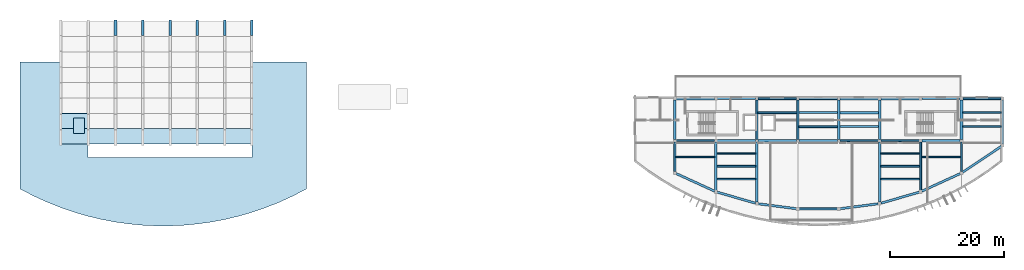
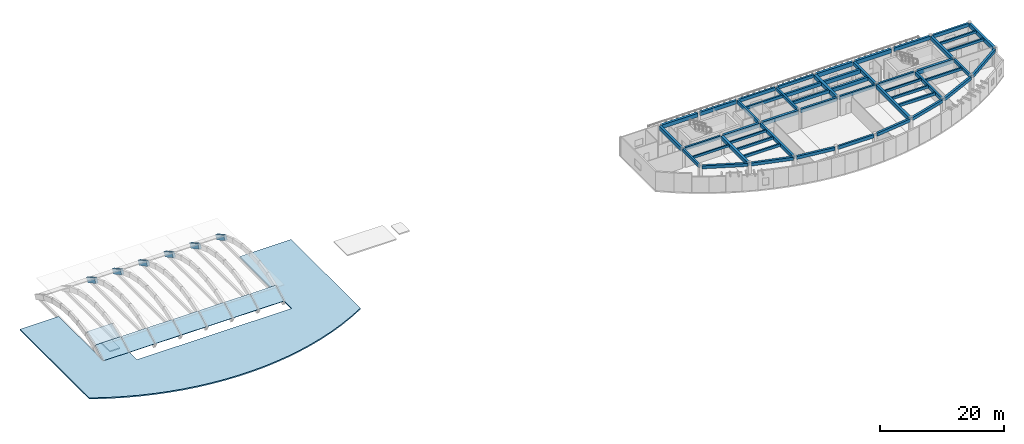
# One storey, part 2 of 11: 57 beams, 10 slabs.
"""IFC4 building model written with IfcOpenShell, lengths in metres."""

import ifcopenshell
import ifcopenshell.guid

model = None  # the IFC model being written
_history = None  # IfcOwnerHistory: only IFC2X3 demands one
_inside = {}  # id of a spatial element -> (the spatial element, [elements in it])
_under = {}  # id of a project, library or spatial element -> (it, [spatial elements below it])
_declared = {}  # id of a project -> (the project, [libraries it declares])
_typed = {}  # id of a type object -> (the type object, [elements of that type])
_made_of = {}  # id of a material, layer set ... -> (it, [elements and type objects made of it])


def new_model(schema):
    """Start an empty IFC model of exactly this schema.

    Asked for "IFC4X3", IfcOpenShell would pick the latest addendum, in which some entities
    have other attributes; the version numbers below select the first issue.
    IFC2X3 requires an IfcOwnerHistory on every rooted entity: one is made here for all.
    """
    global model, _history
    if schema == "IFC4X3":
        model = ifcopenshell.file(schema_version=(4, 3, 0, 0))
    else:
        model = ifcopenshell.file(schema=schema)
    _inside.clear()
    _under.clear()
    _declared.clear()
    _typed.clear()
    _made_of.clear()
    _history = None
    if model.schema == "IFC2X3":
        org = make("IfcOrganization", Name="unknown")
        user = make(
            "IfcPersonAndOrganization",
            ThePerson=make("IfcPerson", FamilyName="unknown"),
            TheOrganization=org,
        )
        app = make(
            "IfcApplication",
            ApplicationDeveloper=org,
            Version="unknown",
            ApplicationFullName="unknown",
            ApplicationIdentifier="unknown",
        )
        _history = make(
            "IfcOwnerHistory",
            OwningUser=user,
            OwningApplication=app,
            ChangeAction="ADDED",
            CreationDate=0,
        )
    return model


def make(cls, **values):
    """One entity of the class cls with the attributes given. An attribute that is None is left unset."""
    return model.create_entity(
        cls, **{name: value for name, value in values.items() if value is not None}
    )


def rooted(cls, **values):
    """An entity with a GlobalId (a new one), such as an element, a storey or a relation."""
    return make(cls, GlobalId=ifcopenshell.guid.new(), OwnerHistory=_history, **values)


def si_unit(unit_type, name, prefix=None):
    """IfcSIUnit, for example si_unit("LENGTHUNIT", "METRE", prefix="MILLI")."""
    return make("IfcSIUnit", UnitType=unit_type, Prefix=prefix, Name=name)


def assignment(units):
    """IfcUnitAssignment: the units of a project."""
    return None if units is None else make("IfcUnitAssignment", Units=units)


def point(xyz):
    """IfcCartesianPoint."""
    return None if xyz is None else make("IfcCartesianPoint", Coordinates=xyz)


def direction(xyz):
    """IfcDirection."""
    return None if xyz is None else make("IfcDirection", DirectionRatios=xyz)


def frame(location, z_axis=None, x_axis=None):
    """IfcAxis2Placement3D, a coordinate frame: its origin and axes. An axis left out is left unset."""
    return make(
        "IfcAxis2Placement3D",
        Location=point(location),
        Axis=direction(z_axis),
        RefDirection=direction(x_axis),
    )


def frame_2d(location, x_axis=None):
    """IfcAxis2Placement2D, a coordinate frame in the plane: its origin and x axis."""
    return make(
        "IfcAxis2Placement2D", Location=point(location), RefDirection=direction(x_axis)
    )


def origin():
    """The frame at (0, 0, 0) with its axes left unset."""
    return frame((0.0, 0.0, 0.0))


def origin_2d():
    """The frame at (0, 0) in the plane with its x axis left unset."""
    return frame_2d((0.0, 0.0))


def place(relative_to, where):
    """IfcLocalPlacement: puts the frame where relative to a parent placement (None: the world)."""
    return make(
        "IfcLocalPlacement", PlacementRelTo=relative_to, RelativePlacement=where
    )


def context(
    kind, dimensions, precision=None, world=None, true_north=None, identifier=None
):
    """IfcGeometricRepresentationContext, for example the 3D "Model" context."""
    return make(
        "IfcGeometricRepresentationContext",
        ContextIdentifier=identifier,
        ContextType=kind,
        CoordinateSpaceDimension=dimensions,
        Precision=precision,
        WorldCoordinateSystem=world,
        TrueNorth=true_north,
    )


def subcontext(parent, identifier, kind, view, scale=None):
    """IfcGeometricRepresentationSubContext, for example "Body" below "Model"."""
    return make(
        "IfcGeometricRepresentationSubContext",
        ContextIdentifier=identifier,
        ContextType=kind,
        ParentContext=parent,
        TargetScale=scale,
        TargetView=view,
    )


def project(units=None, contexts=None):
    """IfcProject with its units and contexts."""
    return rooted(
        "IfcProject",
        Name="project",
        RepresentationContexts=contexts,
        UnitsInContext=assignment(units),
    )


def spatial(cls, under=None, at=None, **own):
    """A site, building, storey or space (cls), placed at a placement, below another one or the project."""
    s = rooted(cls, ObjectPlacement=at, **own)
    if under is not None:
        _under.setdefault(under.id(), (under, []))[1].append(s)
    return s


def polyline(points):
    """IfcPolyline through the points."""
    return make("IfcPolyline", Points=[point(p) for p in points])


def profile(cls, at=None, kind="AREA", **sizes):
    """A parametric profile (cls). Its sizes go by their IFC names, for example OverallWidth=200.0."""
    return make(cls, ProfileType=kind, Position=at, **sizes)


def rectangle(**sizes):
    """IfcRectangleProfileDef."""
    return profile("IfcRectangleProfileDef", **sizes)


def outline(outer, holes=None, kind="AREA"):
    """IfcArbitraryClosedProfileDef: a profile drawn as a closed curve; with holes, ...WithVoids."""
    if holes is None:
        return make("IfcArbitraryClosedProfileDef", ProfileType=kind, OuterCurve=outer)
    return make(
        "IfcArbitraryProfileDefWithVoids",
        ProfileType=kind,
        OuterCurve=outer,
        InnerCurves=holes,
    )


def extrude(swept, where, along, depth):
    """IfcExtrudedAreaSolid: the profile swept, set in the frame where, extruded along a direction by depth."""
    return make(
        "IfcExtrudedAreaSolid",
        SweptArea=swept,
        Position=where,
        ExtrudedDirection=direction(along),
        Depth=depth,
    )


def shape(context_of_items, identifier, shape_type, items):
    """IfcShapeRepresentation: the items that make up one representation, for example the "Body"."""
    return make(
        "IfcShapeRepresentation",
        ContextOfItems=context_of_items,
        RepresentationIdentifier=identifier,
        RepresentationType=shape_type,
        Items=items,
    )


def material(Name=None, Category=None):
    """IfcMaterial."""
    return make("IfcMaterial", Name=Name, Category=Category)


def layer(
    of_material, thickness, ventilated=None, Name=None, Category=None, Priority=None
):
    """IfcMaterialLayer: one layer of a wall or slab, of a material (None: an air gap)."""
    return make(
        "IfcMaterialLayer",
        Material=of_material,
        LayerThickness=thickness,
        IsVentilated=ventilated,
        Name=Name,
        Category=Category,
        Priority=Priority,
    )


def layer_set(layers, Name=None):
    """IfcMaterialLayerSet."""
    return make("IfcMaterialLayerSet", MaterialLayers=layers, LayerSetName=Name)


def material_profile(
    of_material, cross_section, Name=None, Category=None, Priority=None
):
    """IfcMaterialProfile: a cross section and its material."""
    return make(
        "IfcMaterialProfile",
        Name=Name,
        Material=of_material,
        Profile=cross_section,
        Priority=Priority,
        Category=Category,
    )


def profile_set(profiles, Name=None, composite=None):
    """IfcMaterialProfileSet."""
    return make(
        "IfcMaterialProfileSet",
        Name=Name,
        MaterialProfiles=profiles,
        CompositeProfile=composite,
    )


def made_of(thing, what):
    """Note that an element or type object is made of a material, layer set ...; save() writes the relation."""
    if what is not None:
        _made_of.setdefault(what.id(), (what, []))[1].append(thing)
    return thing


def type_object(cls, material=None, **own):
    """A type object (cls), such as IfcWallType, which elements share."""
    return made_of(rooted(cls, **own), material)


def element(
    cls,
    number,
    at=None,
    inside=None,
    cuts=None,
    type_object=None,
    material=None,
    context=None,
    identifier="Body",
    shape_type=None,
    held_by="IfcProductDefinitionShape",
    body=None,
    shapes=None,
    **own,
):
    """One element of the class cls, such as IfcWall. Its Tag is "e" and its number.

    at: its placement. inside: the storey or other place that contains it. cuts: it is an
    opening in that element (IfcRelVoidsElement). A single representation is given by context,
    identifier, shape_type and body (its items); several are given by shapes. held_by: the class
    of the entity that holds the representations. save() writes the other relations.
    """
    e = rooted(cls, Tag="e%d" % number, ObjectPlacement=at, **own)
    if body is not None:
        shapes = [shape(context, identifier, shape_type, body)]
    if shapes is not None:
        e.Representation = make(held_by, Representations=shapes)
    if inside is not None:
        _inside.setdefault(inside.id(), (inside, []))[1].append(e)
    if cuts is not None:
        rooted(
            "IfcRelVoidsElement", RelatingBuildingElement=cuts, RelatedOpeningElement=e
        )
    if type_object is not None:
        _typed.setdefault(type_object.id(), (type_object, []))[1].append(e)
    return made_of(e, material)


def aggregate(whole, parts):
    """IfcRelAggregates: a whole, such as a stair, and the parts it consists of."""
    return rooted("IfcRelAggregates", RelatingObject=whole, RelatedObjects=parts)


def save(model, path):
    """Write the relations noted so far, then the file.

    IfcRelAggregates (storeys below a building ...), IfcRelContainedInSpatialStructure (elements
    in a storey), IfcRelDefinesByType, IfcRelAssociatesMaterial and IfcRelDeclares: one each for
    every whole, place, type object, material and project.
    """
    for whole, parts in _under.values():
        aggregate(whole, parts)
    for where, things in _inside.values():
        rooted(
            "IfcRelContainedInSpatialStructure",
            RelatedElements=things,
            RelatingStructure=where,
        )
    for kind, things in _typed.values():
        rooted("IfcRelDefinesByType", RelatedObjects=things, RelatingType=kind)
    for what, things in _made_of.values():
        rooted("IfcRelAssociatesMaterial", RelatedObjects=things, RelatingMaterial=what)
    for by, libraries in _declared.values():
        rooted("IfcRelDeclares", RelatingContext=by, RelatedDefinitions=libraries)
    model.write(path)


model = new_model("IFC4")

# Units and contexts
model_context = context("Model", 3, precision=1e-05, world=origin(), true_north=direction((0.0, 1.0)))
body_context = subcontext(model_context, "Body", "Model", "MODEL_VIEW")
ifc_project = project(units=[si_unit("LENGTHUNIT", "METRE"), si_unit("AREAUNIT", "SQUARE_METRE"), si_unit("VOLUMEUNIT", "CUBIC_METRE"), si_unit("PLANEANGLEUNIT", "RADIAN"), si_unit("MASSUNIT", "GRAM", prefix="KILO")], contexts=[model_context])

# Site, building, storey
site_placement = place(None, origin())
site = spatial("IfcSite", under=ifc_project, at=site_placement, CompositionType="ELEMENT")
building_placement = place(site_placement, origin())
building = spatial("IfcBuilding", under=site, at=building_placement, Name="Brisavento Harbour Community Centre", CompositionType="ELEMENT")
storey_placement = place(building_placement, frame((0.0, 0.0, 16.800048828125)))
storey = spatial("IfcBuildingStorey", under=building, at=storey_placement, Name="L04", CompositionType="ELEMENT", Elevation=16.800048828125)

# Beams
ifc_material_1 = material(Name="Concrete C40/50", Category="concrete")
ifc_material_profile_1 = material_profile(ifc_material_1, rectangle(XDim=0.449951171875, YDim=0.949951171875, at=origin_2d()), Name="Concrete C40/50")
ifc_profile_set_1 = profile_set([ifc_material_profile_1], Name="Concrete C40/50")
beam_type_1 = type_object("IfcBeamType", Name="BM-ARCH-450x950", PredefinedType="USERDEFINED", material=ifc_profile_set_1)
for number, where, z_axis, x_axis, name in (
    (1, (16.800048828125, 33.300048828125, 0.99462890625), (0.0, 0.878301965836, -0.478106323748), (-1.0, 0.0, 0.0), "Main Hall RC arch rib 03 chord 8"),
    (2, (21.60009765625, 33.300048828125, 0.99462890625), (0.0, 0.878301965836, -0.478106323748), (-1.0, 0.0, 0.0), "Main Hall RC arch rib 04 chord 8"),
    (3, (26.39990234375, 33.300048828125, 0.99462890625), (0.0, 0.878301965836, -0.478106323748), (-1.0, 0.0, 0.0), "Main Hall RC arch rib 05 chord 8"),
    (4, (31.199951171875, 33.300048828125, 0.99462890625), (0.0, 0.878301965836, -0.478106323748), (-1.0, 0.0, 0.0), "Main Hall RC arch rib 06 chord 8"),
    (5, (36.0, 33.300048828125, 0.99462890625), (0.0, 0.878301965836, -0.478106323748), (-1.0, 0.0, 0.0), "Main Hall RC arch rib 07 chord 8"),
    (6, (40.800048828125, 33.300048828125, 0.99462890625), (0.0, 0.878301965836, -0.478106323748), (-1.0, 0.0, 0.0), "Main Hall RC arch rib 08 chord 8"),
):
    element("IfcBeam", number, at=place(storey_placement, frame(where, z_axis=z_axis, x_axis=x_axis)), inside=storey, type_object=beam_type_1, Name=name, ObjectType="ARCH RIB", PredefinedType="USERDEFINED", context=body_context, shape_type="SweptSolid", body=[
        extrude(rectangle(XDim=0.449951171875, YDim=0.949951171875, at=origin_2d()), origin(), (0.0, 0.0, 1.0), 3.073974609375),
    ])
ifc_material_2 = material(Name="Concrete C35/45", Category="concrete")
ifc_material_profile_2 = material_profile(ifc_material_2, rectangle(XDim=0.25, YDim=0.449951171875, at=origin_2d()), Name="Concrete C35/45")
ifc_profile_set_2 = profile_set([ifc_material_profile_2], Name="Concrete C35/45")
beam_type_2 = type_object("IfcBeamType", Name="BM-JST-250x450", PredefinedType="JOIST", material=ifc_profile_set_2)
for number, where, z_axis, x_axis, name in (
    (7, (115.375, 12.156982421875, 3.454833984375), (1.0, 0.0, 0.0), (0.0, 1.0, 0.0), "L04 secondary floor joist 0343"),
    (8, (151.425048828125, 12.75390625, 3.454833984375), (1.0, 0.0, 0.0), (0.0, 1.0, 0.0), "L04 secondary floor joist 0354"),
):
    element("IfcBeam", number, at=place(storey_placement, frame(where, z_axis=z_axis, x_axis=x_axis)), inside=storey, type_object=beam_type_2, Name=name, PredefinedType="JOIST", context=body_context, shape_type="SweptSolid", body=[
        extrude(rectangle(XDim=0.25, YDim=0.449951171875, at=origin_2d()), origin(), (0.0, 0.0, 1.0), 6.800048828125),
    ])
ifc_material_profile_3 = material_profile(ifc_material_2, rectangle(XDim=0.260009765625, YDim=0.4599609375, at=origin_2d()), Name="Concrete C35/45")
ifc_profile_set_3 = profile_set([ifc_material_profile_3], Name="Concrete C35/45")
beam_type_3 = type_object("IfcBeamType", Name="BM-JST-260x460", PredefinedType="JOIST", material=ifc_profile_set_3)
beam_1_placement = place(storey_placement, frame((122.625, 12.75390625, 3.449951171875), z_axis=(1.0, 0.0, 0.0), x_axis=(0.0, 1.0, 0.0)))
element("IfcBeam", 9, at=beam_1_placement, inside=storey, type_object=beam_type_3, Name="L04 secondary floor joist 0346", PredefinedType="JOIST", context=body_context, shape_type="SweptSolid", body=[
    extrude(rectangle(XDim=0.260009765625, YDim=0.4599609375, at=origin_2d()), origin(), (0.0, 0.0, 1.0), 6.77490234375),
])
beam_2_placement = place(storey_placement, frame((165.824951171875, 19.933349609375, 3.449951171875), z_axis=(1.0, 0.0, 0.0), x_axis=(0.0, 1.0, 0.0)))
element("IfcBeam", 10, at=beam_2_placement, inside=storey, type_object=beam_type_3, Name="L04 secondary floor joist 0357", PredefinedType="JOIST", context=body_context, shape_type="SweptSolid", body=[
    extrude(rectangle(XDim=0.260009765625, YDim=0.4599609375, at=origin_2d()), origin(), (0.0, 0.0, 1.0), 6.75),
])
ifc_material_profile_4 = material_profile(ifc_material_2, rectangle(XDim=0.280029296875, YDim=0.47998046875, at=origin_2d()), Name="Concrete C35/45")
ifc_profile_set_4 = profile_set([ifc_material_profile_4], Name="Concrete C35/45")
beam_type_4 = type_object("IfcBeamType", Name="BM-JST-280x480", PredefinedType="JOIST", material=ifc_profile_set_4)
beam_3_placement = place(storey_placement, frame((122.625, 10.507568359375, 3.43994140625), z_axis=(1.0, 0.0, 0.0), x_axis=(0.0, 1.0, 0.0)))
element("IfcBeam", 11, at=beam_3_placement, inside=storey, type_object=beam_type_4, Name="L04 secondary floor joist 0345", PredefinedType="JOIST", context=body_context, shape_type="SweptSolid", body=[
    extrude(rectangle(XDim=0.280029296875, YDim=0.47998046875, at=origin_2d()), origin(), (0.0, 0.0, 1.0), 6.77490234375),
])
beam_4_placement = place(storey_placement, frame((165.824951171875, 17.466796875, 3.43994140625), z_axis=(1.0, 0.0, 0.0), x_axis=(0.0, 1.0, 0.0)))
element("IfcBeam", 12, at=beam_4_placement, inside=storey, type_object=beam_type_4, Name="L04 secondary floor joist 0356", PredefinedType="JOIST", context=body_context, shape_type="SweptSolid", body=[
    extrude(rectangle(XDim=0.280029296875, YDim=0.47998046875, at=origin_2d()), origin(), (0.0, 0.0, 1.0), 6.75),
])
ifc_material_profile_5 = material_profile(ifc_material_2, rectangle(XDim=0.280029296875, YDim=0.52001953125, at=origin_2d()), Name="Concrete C35/45")
ifc_profile_set_5 = profile_set([ifc_material_profile_5], Name="Concrete C35/45")
beam_type_5 = type_object("IfcBeamType", Name="BM-JST-280x520", PredefinedType="JOIST", material=ifc_profile_set_5)
beam_5_placement = place(storey_placement, frame((122.625, 8.26123046875, 3.419921875), z_axis=(1.0, 0.0, 0.0), x_axis=(0.0, 1.0, 0.0)))
element("IfcBeam", 13, at=beam_5_placement, inside=storey, type_object=beam_type_5, Name="L04 secondary floor joist 0344", PredefinedType="JOIST", context=body_context, shape_type="SweptSolid", body=[
    extrude(rectangle(XDim=0.280029296875, YDim=0.52001953125, at=origin_2d()), origin(), (0.0, 0.0, 1.0), 6.77490234375),
])
beam_6_placement = place(storey_placement, frame((158.574951171875, 12.156982421875, 3.419921875), z_axis=(1.0, 0.0, 0.0), x_axis=(0.0, 1.0, 0.0)))
element("IfcBeam", 14, at=beam_6_placement, inside=storey, type_object=beam_type_5, Name="L04 secondary floor joist 0355", PredefinedType="JOIST", context=body_context, shape_type="SweptSolid", body=[
    extrude(rectangle(XDim=0.280029296875, YDim=0.52001953125, at=origin_2d()), origin(), (0.0, 0.0, 1.0), 6.85009765625),
])
ifc_material_profile_6 = material_profile(ifc_material_2, rectangle(XDim=0.300048828125, YDim=0.5, at=origin_2d()), Name="Concrete C35/45")
ifc_profile_set_6 = profile_set([ifc_material_profile_6], Name="Concrete C35/45")
beam_type_6 = type_object("IfcBeamType", Name="BM-JST-300x500", PredefinedType="JOIST", material=ifc_profile_set_6)
beam_7_placement = place(storey_placement, frame((151.425048828125, 10.507568359375, 3.429931640625), z_axis=(1.0, 0.0, 0.0), x_axis=(0.0, 1.0, 0.0)))
element("IfcBeam", 15, at=beam_7_placement, inside=storey, type_object=beam_type_6, Name="L04 secondary floor joist 0353", PredefinedType="JOIST", context=body_context, shape_type="SweptSolid", body=[
    extrude(rectangle(XDim=0.300048828125, YDim=0.5, at=origin_2d()), origin(), (0.0, 0.0, 1.0), 6.800048828125),
])
ifc_material_profile_7 = material_profile(ifc_material_2, rectangle(XDim=0.300048828125, YDim=0.550048828125, at=origin_2d()), Name="Concrete C35/45")
ifc_profile_set_7 = profile_set([ifc_material_profile_7], Name="Concrete C35/45")
beam_type_7 = type_object("IfcBeamType", Name="BM-JST-300x550", PredefinedType="JOIST", material=ifc_profile_set_7)
beam_8_placement = place(storey_placement, frame((151.425048828125, 8.26123046875, 3.405029296875), z_axis=(1.0, 0.0, 0.0), x_axis=(0.0, 1.0, 0.0)))
element("IfcBeam", 16, at=beam_8_placement, inside=storey, type_object=beam_type_7, Name="L04 secondary floor joist 0352", PredefinedType="JOIST", context=body_context, shape_type="SweptSolid", body=[
    extrude(rectangle(XDim=0.300048828125, YDim=0.550048828125, at=origin_2d()), origin(), (0.0, 0.0, 1.0), 6.800048828125),
])
ifc_material_profile_8 = material_profile(ifc_material_2, rectangle(XDim=0.320068359375, YDim=0.56005859375, at=origin_2d()), Name="Concrete C35/45")
ifc_profile_set_8 = profile_set([ifc_material_profile_8], Name="Concrete C35/45")
beam_type_8 = type_object("IfcBeamType", Name="BM-JST-320x560", PredefinedType="JOIST", material=ifc_profile_set_8)
beam_9_placement = place(storey_placement, frame((129.77490234375, 19.933349609375, 3.39990234375), z_axis=(1.0, 0.0, 0.0), x_axis=(0.0, 1.0, 0.0)))
element("IfcBeam", 17, at=beam_9_placement, inside=storey, type_object=beam_type_8, Name="L04 secondary floor joist 0347", PredefinedType="JOIST", context=body_context, shape_type="SweptSolid", body=[
    extrude(rectangle(XDim=0.320068359375, YDim=0.56005859375, at=origin_2d()), origin(), (0.0, 0.0, 1.0), 6.85009765625),
])
ifc_material_profile_9 = material_profile(ifc_material_2, rectangle(XDim=0.320068359375, YDim=0.6201171875, at=origin_2d()), Name="Concrete C35/45")
ifc_profile_set_9 = profile_set([ifc_material_profile_9], Name="Concrete C35/45")
beam_type_9 = type_object("IfcBeamType", Name="BM-JST-320x620", PredefinedType="JOIST", material=ifc_profile_set_9)
beam_10_placement = place(storey_placement, frame((136.97509765625, 17.466796875, 3.369873046875), z_axis=(1.0, 0.0, 0.0), x_axis=(0.0, 1.0, 0.0)))
element("IfcBeam", 18, at=beam_10_placement, inside=storey, type_object=beam_type_9, Name="L04 secondary floor joist 0348", PredefinedType="JOIST", context=body_context, shape_type="SweptSolid", body=[
    extrude(rectangle(XDim=0.320068359375, YDim=0.6201171875, at=origin_2d()), origin(), (0.0, 0.0, 1.0), 6.7998046875),
])
ifc_material_profile_10 = material_profile(ifc_material_2, rectangle(XDim=0.360107421875, YDim=0.679931640625, at=origin_2d()), Name="Concrete C35/45")
ifc_profile_set_10 = profile_set([ifc_material_profile_10], Name="Concrete C35/45")
beam_type_10 = type_object("IfcBeamType", Name="BM-JST-360x680", PredefinedType="JOIST", material=ifc_profile_set_10)
beam_11_placement = place(storey_placement, frame((136.97509765625, 19.933349609375, 3.33984375), z_axis=(1.0, 0.0, 0.0), x_axis=(0.0, 1.0, 0.0)))
element("IfcBeam", 19, at=beam_11_placement, inside=storey, type_object=beam_type_10, Name="L04 secondary floor joist 0349", PredefinedType="JOIST", context=body_context, shape_type="SweptSolid", body=[
    extrude(rectangle(XDim=0.360107421875, YDim=0.679931640625, at=origin_2d()), origin(), (0.0, 0.0, 1.0), 6.7998046875),
])
ifc_material_profile_11 = material_profile(ifc_material_2, rectangle(XDim=0.3798828125, YDim=0.719970703125, at=origin_2d()), Name="Concrete C35/45")
ifc_profile_set_11 = profile_set([ifc_material_profile_11], Name="Concrete C35/45")
beam_type_11 = type_object("IfcBeamType", Name="BM-JST-380x720", PredefinedType="JOIST", material=ifc_profile_set_11)
beam_12_placement = place(storey_placement, frame((144.22509765625, 17.466796875, 3.320068359375), z_axis=(1.0, 0.0, 0.0), x_axis=(0.0, 1.0, 0.0)))
element("IfcBeam", 20, at=beam_12_placement, inside=storey, type_object=beam_type_11, Name="L04 secondary floor joist 0350", PredefinedType="JOIST", context=body_context, shape_type="SweptSolid", body=[
    extrude(rectangle(XDim=0.3798828125, YDim=0.719970703125, at=origin_2d()), origin(), (0.0, 0.0, 1.0), 6.77490234375),
])
ifc_material_profile_12 = material_profile(ifc_material_2, rectangle(XDim=0.419921875, YDim=0.760009765625, at=origin_2d()), Name="Concrete C35/45")
ifc_profile_set_12 = profile_set([ifc_material_profile_12], Name="Concrete C35/45")
beam_type_12 = type_object("IfcBeamType", Name="BM-JST-420x760", PredefinedType="JOIST", material=ifc_profile_set_12)
beam_13_placement = place(storey_placement, frame((144.22509765625, 19.933349609375, 3.300048828125), z_axis=(1.0, 0.0, 0.0), x_axis=(0.0, 1.0, 0.0)))
element("IfcBeam", 21, at=beam_13_placement, inside=storey, type_object=beam_type_12, Name="L04 secondary floor joist 0351", PredefinedType="JOIST", context=body_context, shape_type="SweptSolid", body=[
    extrude(rectangle(XDim=0.419921875, YDim=0.760009765625, at=origin_2d()), origin(), (0.0, 0.0, 1.0), 6.77490234375),
])
ifc_material_profile_13 = material_profile(ifc_material_2, rectangle(XDim=0.35009765625, YDim=0.60009765625, at=origin_2d()), Name="Concrete C35/45")
ifc_profile_set_13 = profile_set([ifc_material_profile_13], Name="Concrete C35/45")
beam_type_13 = type_object("IfcBeamType", Name="BM-RC-350x600", PredefinedType="BEAM", material=ifc_profile_set_13)
for number, where, z_axis, x_axis, name in (
    (22, (115.419921875, 15.0, 3.3798828125), (1.0, 0.0, 0.0), (0.0, 1.0, 0.0), "L04 primary girder X0689"),
    (23, (151.419921875, 15.0, 3.3798828125), (1.0, 0.0, 0.0), (0.0, 1.0, 0.0), "L04 primary girder X0694"),
    (24, (137.02001953125, 22.39990234375, 3.3798828125), (1.0, 0.0, 0.0), (0.0, 1.0, 0.0), "L04 primary girder X0699"),
):
    element("IfcBeam", number, at=place(storey_placement, frame(where, z_axis=z_axis, x_axis=x_axis)), inside=storey, type_object=beam_type_13, Name=name, PredefinedType="BEAM", context=body_context, shape_type="SweptSolid", body=[
        extrude(rectangle(XDim=0.35009765625, YDim=0.60009765625, at=origin_2d()), origin(), (0.0, 0.0, 1.0), 6.760009765625),
    ])
beam_14_placement = place(storey_placement, frame((115.199951171875, 9.55908203125, 3.3798828125), z_axis=(0.0, 1.0, 0.0), x_axis=(-1.0, 0.0, 0.0)))
element("IfcBeam", 25, at=beam_14_placement, inside=storey, type_object=beam_type_13, Name="L04 primary girder Y0704", PredefinedType="BEAM", context=body_context, shape_type="SweptSolid", body=[
    extrude(rectangle(XDim=0.35009765625, YDim=0.60009765625, at=origin_2d()), origin(), (0.0, 0.0, 1.0), 5.220947265625),
])
beam_15_placement = place(storey_placement, frame((136.800048828125, 15.219970703125, 3.3798828125), z_axis=(0.0, 1.0, 0.0), x_axis=(-1.0, 0.0, 0.0)))
element("IfcBeam", 26, at=beam_15_placement, inside=storey, type_object=beam_type_13, Name="L04 primary girder Y0709", PredefinedType="BEAM", context=body_context, shape_type="SweptSolid", body=[
    extrude(rectangle(XDim=0.35009765625, YDim=0.60009765625, at=origin_2d()), origin(), (0.0, 0.0, 1.0), 6.9599609375),
])
beam_16_placement = place(storey_placement, frame((165.60009765625, 9.55908203125, 3.3798828125), z_axis=(0.0, 1.0, 0.0), x_axis=(-1.0, 0.0, 0.0)))
element("IfcBeam", 27, at=beam_16_placement, inside=storey, type_object=beam_type_13, Name="L04 primary girder Y0714", PredefinedType="BEAM", context=body_context, shape_type="SweptSolid", body=[
    extrude(rectangle(XDim=0.35009765625, YDim=0.60009765625, at=origin_2d()), origin(), (0.0, 0.0, 1.0), 5.220947265625),
])
ifc_material_profile_14 = material_profile(ifc_material_2, rectangle(XDim=0.35009765625, YDim=0.64990234375, at=origin_2d()), Name="Concrete C35/45")
ifc_profile_set_14 = profile_set([ifc_material_profile_14], Name="Concrete C35/45")
beam_type_14 = type_object("IfcBeamType", Name="BM-RC-350x650", PredefinedType="BEAM", material=ifc_profile_set_14)
beam_17_placement = place(storey_placement, frame((137.044921875, 3.0, 3.35498046875), z_axis=(1.0, 0.0, 0.0), x_axis=(0.0, 1.0, 0.0)))
element("IfcBeam", 28, at=beam_17_placement, inside=storey, type_object=beam_type_14, Name="L04 primary girder X0688", PredefinedType="BEAM", context=body_context, shape_type="SweptSolid", body=[
    extrude(rectangle(XDim=0.35009765625, YDim=0.64990234375, at=origin_2d()), origin(), (0.0, 0.0, 1.0), 6.7099609375),
])
for number, where, z_axis, x_axis, name in (
    (29, (144.219970703125, 15.0, 3.35498046875), (1.0, 0.0, 0.0), (0.0, 1.0, 0.0), "L04 primary girder X0693"),
    (30, (129.820068359375, 22.39990234375, 3.35498046875), (1.0, 0.0, 0.0), (0.0, 1.0, 0.0), "L04 primary girder X0698"),
    (31, (165.820068359375, 22.39990234375, 3.35498046875), (1.0, 0.0, 0.0), (0.0, 1.0, 0.0), "L04 primary girder X0703"),
):
    element("IfcBeam", number, at=place(storey_placement, frame(where, z_axis=z_axis, x_axis=x_axis)), inside=storey, type_object=beam_type_14, Name=name, PredefinedType="BEAM", context=body_context, shape_type="SweptSolid", body=[
        extrude(rectangle(XDim=0.35009765625, YDim=0.64990234375, at=origin_2d()), origin(), (0.0, 0.0, 1.0), 6.760009765625),
    ])
beam_18_placement = place(storey_placement, frame((129.60009765625, 15.219970703125, 3.35498046875), z_axis=(0.0, 1.0, 0.0), x_axis=(-1.0, 0.0, 0.0)))
element("IfcBeam", 32, at=beam_18_placement, inside=storey, type_object=beam_type_14, Name="L04 primary girder Y0708", PredefinedType="BEAM", context=body_context, shape_type="SweptSolid", body=[
    extrude(rectangle(XDim=0.35009765625, YDim=0.64990234375, at=origin_2d()), origin(), (0.0, 0.0, 1.0), 6.9599609375),
])
beam_19_placement = place(storey_placement, frame((158.39990234375, 6.260009765625, 3.35498046875), z_axis=(0.0, 1.0, 0.0), x_axis=(-1.0, 0.0, 0.0)))
element("IfcBeam", 33, at=beam_19_placement, inside=storey, type_object=beam_type_14, Name="L04 primary girder Y0713", PredefinedType="BEAM", context=body_context, shape_type="SweptSolid", body=[
    extrude(rectangle(XDim=0.35009765625, YDim=0.64990234375, at=origin_2d()), origin(), (0.0, 0.0, 1.0), 8.52001953125),
])
ifc_material_profile_15 = material_profile(ifc_material_2, rectangle(XDim=0.39990234375, YDim=0.699951171875, at=origin_2d()), Name="Concrete C35/45")
ifc_profile_set_15 = profile_set([ifc_material_profile_15], Name="Concrete C35/45")
beam_type_15 = type_object("IfcBeamType", Name="BM-RC-400x700", PredefinedType="BEAM", material=ifc_profile_set_15)
beam_20_placement = place(storey_placement, frame((137.02001953125, 15.0, 3.329833984375), z_axis=(1.0, 0.0, 0.0), x_axis=(0.0, 1.0, 0.0)))
element("IfcBeam", 34, at=beam_20_placement, inside=storey, type_object=beam_type_15, Name="L04 primary girder X0692", PredefinedType="BEAM", context=body_context, shape_type="SweptSolid", body=[
    extrude(rectangle(XDim=0.39990234375, YDim=0.699951171875, at=origin_2d()), origin(), (0.0, 0.0, 1.0), 6.760009765625),
])
for number, where, z_axis, x_axis, name in (
    (35, (122.6201171875, 22.39990234375, 3.329833984375), (1.0, 0.0, 0.0), (0.0, 1.0, 0.0), "L04 primary girder X0697"),
    (36, (158.6201171875, 22.39990234375, 3.329833984375), (1.0, 0.0, 0.0), (0.0, 1.0, 0.0), "L04 primary girder X0702"),
):
    element("IfcBeam", number, at=place(storey_placement, frame(where, z_axis=z_axis, x_axis=x_axis)), inside=storey, type_object=beam_type_15, Name=name, PredefinedType="BEAM", context=body_context, shape_type="SweptSolid", body=[
        extrude(rectangle(XDim=0.39990234375, YDim=0.699951171875, at=origin_2d()), origin(), (0.0, 0.0, 1.0), 6.759765625),
    ])
beam_21_placement = place(storey_placement, frame((129.60009765625, 4.178955078125, 3.329833984375), z_axis=(0.0, 1.0, 0.0), x_axis=(-1.0, 0.0, 0.0)))
element("IfcBeam", 37, at=beam_21_placement, inside=storey, type_object=beam_type_15, Name="L04 primary girder Y0707", PredefinedType="BEAM", context=body_context, shape_type="SweptSolid", body=[
    extrude(rectangle(XDim=0.39990234375, YDim=0.699951171875, at=origin_2d()), origin(), (0.0, 0.0, 1.0), 10.60107421875),
])
beam_22_placement = place(storey_placement, frame((151.199951171875, 15.219970703125, 3.329833984375), z_axis=(0.0, 1.0, 0.0), x_axis=(-1.0, 0.0, 0.0)))
element("IfcBeam", 38, at=beam_22_placement, inside=storey, type_object=beam_type_15, Name="L04 primary girder Y0712", PredefinedType="BEAM", context=body_context, shape_type="SweptSolid", body=[
    extrude(rectangle(XDim=0.39990234375, YDim=0.699951171875, at=origin_2d()), origin(), (0.0, 0.0, 1.0), 6.9599609375),
])
ifc_material_profile_16 = material_profile(ifc_material_2, rectangle(XDim=0.449951171875, YDim=0.75, at=origin_2d()), Name="Concrete C35/45")
ifc_profile_set_16 = profile_set([ifc_material_profile_16], Name="Concrete C35/45")
beam_type_16 = type_object("IfcBeamType", Name="BM-RC-450x750", PredefinedType="BEAM", material=ifc_profile_set_16)
for number, where, z_axis, x_axis, name in (
    (39, (129.820068359375, 15.0, 3.304931640625), (1.0, 0.0, 0.0), (0.0, 1.0, 0.0), "L04 primary girder X0691"),
    (40, (115.419921875, 22.39990234375, 3.304931640625), (1.0, 0.0, 0.0), (0.0, 1.0, 0.0), "L04 primary girder X0696"),
    (41, (151.419921875, 22.39990234375, 3.304931640625), (1.0, 0.0, 0.0), (0.0, 1.0, 0.0), "L04 primary girder X0701"),
):
    element("IfcBeam", number, at=place(storey_placement, frame(where, z_axis=z_axis, x_axis=x_axis)), inside=storey, type_object=beam_type_16, Name=name, PredefinedType="BEAM", context=body_context, shape_type="SweptSolid", body=[
        extrude(rectangle(XDim=0.449951171875, YDim=0.75, at=origin_2d()), origin(), (0.0, 0.0, 1.0), 6.760009765625),
    ])
beam_23_placement = place(storey_placement, frame((122.39990234375, 6.260009765625, 3.304931640625), z_axis=(0.0, 1.0, 0.0), x_axis=(-1.0, 0.0, 0.0)))
element("IfcBeam", 42, at=beam_23_placement, inside=storey, type_object=beam_type_16, Name="L04 primary girder Y0706", PredefinedType="BEAM", context=body_context, shape_type="SweptSolid", body=[
    extrude(rectangle(XDim=0.449951171875, YDim=0.75, at=origin_2d()), origin(), (0.0, 0.0, 1.0), 8.52001953125),
])
beam_24_placement = place(storey_placement, frame((151.199951171875, 4.178955078125, 3.304931640625), z_axis=(0.0, 1.0, 0.0), x_axis=(-1.0, 0.0, 0.0)))
element("IfcBeam", 43, at=beam_24_placement, inside=storey, type_object=beam_type_16, Name="L04 primary girder Y0711", PredefinedType="BEAM", context=body_context, shape_type="SweptSolid", body=[
    extrude(rectangle(XDim=0.449951171875, YDim=0.75, at=origin_2d()), origin(), (0.0, 0.0, 1.0), 10.60107421875),
])
beam_25_placement = place(storey_placement, frame((172.800048828125, 14.373046875, 3.304931640625), z_axis=(0.0, 1.0, 0.0), x_axis=(-1.0, 0.0, 0.0)))
element("IfcBeam", 44, at=beam_25_placement, inside=storey, type_object=beam_type_16, Name="L04 primary girder Y0716", PredefinedType="BEAM", context=body_context, shape_type="SweptSolid", body=[
    extrude(rectangle(XDim=0.449951171875, YDim=0.75, at=origin_2d()), origin(), (0.0, 0.0, 1.0), 7.806884765625),
])
ifc_material_profile_17 = material_profile(ifc_material_2, rectangle(XDim=0.449951171875, YDim=0.800048828125, at=origin_2d()), Name="Concrete C35/45")
ifc_profile_set_17 = profile_set([ifc_material_profile_17], Name="Concrete C35/45")
beam_type_17 = type_object("IfcBeamType", Name="BM-RC-450x800", PredefinedType="BEAM", material=ifc_profile_set_17)
for number, where, z_axis, x_axis, name in (
    (45, (122.6201171875, 15.0, 3.280029296875), (1.0, 0.0, 0.0), (0.0, 1.0, 0.0), "L04 primary girder X0690"),
    (46, (158.6201171875, 15.0, 3.280029296875), (1.0, 0.0, 0.0), (0.0, 1.0, 0.0), "L04 primary girder X0695"),
):
    element("IfcBeam", number, at=place(storey_placement, frame(where, z_axis=z_axis, x_axis=x_axis)), inside=storey, type_object=beam_type_17, Name=name, PredefinedType="BEAM", context=body_context, shape_type="SweptSolid", body=[
        extrude(rectangle(XDim=0.449951171875, YDim=0.800048828125, at=origin_2d()), origin(), (0.0, 0.0, 1.0), 6.759765625),
    ])
beam_26_placement = place(storey_placement, frame((144.219970703125, 22.39990234375, 3.280029296875), z_axis=(1.0, 0.0, 0.0), x_axis=(0.0, 1.0, 0.0)))
element("IfcBeam", 47, at=beam_26_placement, inside=storey, type_object=beam_type_17, Name="L04 primary girder X0700", PredefinedType="BEAM", context=body_context, shape_type="SweptSolid", body=[
    extrude(rectangle(XDim=0.449951171875, YDim=0.800048828125, at=origin_2d()), origin(), (0.0, 0.0, 1.0), 6.760009765625),
])
for number, where, z_axis, x_axis, name in (
    (48, (115.199951171875, 15.219970703125, 3.280029296875), (0.0, 1.0, 0.0), (-1.0, 0.0, 0.0), "L04 primary girder Y0705"),
    (49, (144.0, 15.219970703125, 3.280029296875), (0.0, 1.0, 0.0), (-1.0, 0.0, 0.0), "L04 primary girder Y0710"),
    (50, (165.60009765625, 15.219970703125, 3.280029296875), (0.0, 1.0, 0.0), (-1.0, 0.0, 0.0), "L04 primary girder Y0715"),
):
    element("IfcBeam", number, at=place(storey_placement, frame(where, z_axis=z_axis, x_axis=x_axis)), inside=storey, type_object=beam_type_17, Name=name, PredefinedType="BEAM", context=body_context, shape_type="SweptSolid", body=[
        extrude(rectangle(XDim=0.449951171875, YDim=0.800048828125, at=origin_2d()), origin(), (0.0, 0.0, 1.0), 6.9599609375),
    ])
ifc_material_profile_18 = material_profile(ifc_material_2, rectangle(XDim=0.39990234375, YDim=0.60009765625, at=origin_2d()), Name="Concrete C35/45")
ifc_profile_set_18 = profile_set([ifc_material_profile_18], Name="Concrete C35/45")
beam_type_18 = type_object("IfcBeamType", Name="BM-SPN-400x600", PredefinedType="SPANDREL", material=ifc_profile_set_18)
beam_27_placement = place(storey_placement, frame((115.422607421875, 9.2119140625, 3.3798828125), z_axis=(0.909123414107, -0.416526851383, 0.0), x_axis=(0.416526851383, 0.909123414107, 0.0)))
element("IfcBeam", 51, at=beam_27_placement, inside=storey, type_object=beam_type_18, Name="L04 curved perimeter spandrel 0717", PredefinedType="SPANDREL", context=body_context, shape_type="SweptSolid", body=[
    extrude(rectangle(XDim=0.39990234375, YDim=0.60009765625, at=origin_2d()), origin(), (0.0, 0.0, 1.0), 7.429931640625),
])
beam_28_placement = place(storey_placement, frame((122.635498046875, 5.947021484375, 3.3798828125), z_axis=(0.960671007691, -0.277689061689, 0.0), x_axis=(0.277689061689, 0.960671007691, 0.0)))
element("IfcBeam", 52, at=beam_28_placement, inside=storey, type_object=beam_type_18, Name="L04 curved perimeter spandrel 0718", PredefinedType="SPANDREL", context=body_context, shape_type="SweptSolid", body=[
    extrude(rectangle(XDim=0.39990234375, YDim=0.60009765625, at=origin_2d()), origin(), (0.0, 0.0, 1.0), 7.00439453125),
])
beam_29_placement = place(storey_placement, frame((129.843017578125, 3.902587890625, 3.3798828125), z_axis=(0.991687856755, -0.128666991742, 0.0), x_axis=(0.128666991742, 0.991687856755, 0.0)))
element("IfcBeam", 53, at=beam_29_placement, inside=storey, type_object=beam_type_18, Name="L04 curved perimeter spandrel 0719", PredefinedType="SPANDREL", context=body_context, shape_type="SweptSolid", body=[
    extrude(rectangle(XDim=0.39990234375, YDim=0.60009765625, at=origin_2d()), origin(), (0.0, 0.0, 1.0), 6.77001953125),
])
beam_30_placement = place(storey_placement, frame((144.242919921875, 3.031494140625, 3.3798828125), z_axis=(0.991688453726, 0.128662390564, 0.0), x_axis=(-0.128662390564, 0.991688453726, 0.0)))
element("IfcBeam", 54, at=beam_30_placement, inside=storey, type_object=beam_type_18, Name="L04 curved perimeter spandrel 0720", PredefinedType="SPANDREL", context=body_context, shape_type="SweptSolid", body=[
    extrude(rectangle(XDim=0.39990234375, YDim=0.60009765625, at=origin_2d()), origin(), (0.0, 0.0, 1.0), 6.770263671875),
])
beam_31_placement = place(storey_placement, frame((151.435302734375, 4.001953125, 3.3798828125), z_axis=(0.960673695261, 0.277679763819, 0.0), x_axis=(-0.277679763819, 0.960673695261, 0.0)))
element("IfcBeam", 55, at=beam_31_placement, inside=storey, type_object=beam_type_18, Name="L04 curved perimeter spandrel 0721", PredefinedType="SPANDREL", context=body_context, shape_type="SweptSolid", body=[
    extrude(rectangle(XDim=0.39990234375, YDim=0.60009765625, at=origin_2d()), origin(), (0.0, 0.0, 1.0), 7.004638671875),
])
beam_32_placement = place(storey_placement, frame((158.622802734375, 6.1171875, 3.3798828125), z_axis=(0.909117712907, 0.416539294759, 0.0), x_axis=(-0.416539294759, 0.909117712907, 0.0)))
element("IfcBeam", 56, at=beam_32_placement, inside=storey, type_object=beam_type_18, Name="L04 curved perimeter spandrel 0722", PredefinedType="SPANDREL", context=body_context, shape_type="SweptSolid", body=[
    extrude(rectangle(XDim=0.39990234375, YDim=0.60009765625, at=origin_2d()), origin(), (0.0, 0.0, 1.0), 7.4296875),
])
beam_33_placement = place(storey_placement, frame((165.8037109375, 9.4501953125, 3.3798828125), z_axis=(0.831304857774, 0.555816726486, 0.0), x_axis=(-0.555816726486, 0.831304857774, 0.0)))
element("IfcBeam", 57, at=beam_33_placement, inside=storey, type_object=beam_type_18, Name="L04 curved perimeter spandrel 0723", PredefinedType="SPANDREL", context=body_context, shape_type="SweptSolid", body=[
    extrude(rectangle(XDim=0.39990234375, YDim=0.60009765625, at=origin_2d()), origin(), (0.0, 0.0, 1.0), 8.1708984375),
])

# Slabs
ifc_layer_1 = layer(ifc_material_2, 0.239990234375, Name="Concrete C35/45")
ifc_layer_set_1 = layer_set([ifc_layer_1], Name="Concrete C35/45")
slab_type_1 = type_object("IfcSlabType", Name="SLB-RF-240", PredefinedType="ROOF", material=ifc_layer_set_1)
slab_1_placement = place(storey_placement, frame((0.0, 0.0, -0.239990234375)))
element("IfcSlab", 58, at=slab_1_placement, inside=storey, type_object=slab_type_1, Name="L04 V1 perimeter roof slab 1", PredefinedType="ROOF", context=body_context, shape_type="SweptSolid", body=[
    extrude(outline(polyline([(40.800048828125, 28.800048828125), (40.800048828125, 12.0), (12.0, 12.0), (12.0, 14.39990234375), (7.199951171875, 14.39990234375), (7.199951171875, 28.800048828125), (0.0, 28.800048828125), (0.0, 6.51416015625), (2.39990234375, 5.264892578125), (4.800048828125, 4.168701171875), (7.199951171875, 3.21484375), (9.60009765625, 2.395263671875), (12.0, 1.703369140625), (14.39990234375, 1.1337890625), (16.800048828125, 0.682861328125), (19.199951171875, 0.347412109375), (21.60009765625, 0.124755859375), (24.0, 0.013916015625), (26.39990234375, 0.013916015625), (28.800048828125, 0.124755859375), (31.199951171875, 0.347412109375), (33.60009765625, 0.682861328125), (36.0, 1.1337890625), (38.39990234375, 1.703369140625), (40.800048828125, 2.395263671875), (43.199951171875, 3.21484375), (45.60009765625, 4.168701171875), (48.0, 5.264892578125), (50.39990234375, 6.51416015625), (50.39990234375, 28.800048828125), (40.800048828125, 28.800048828125)])), origin(), (0.0, 0.0, 1.0), 0.239990234375),
])
slab_2_placement = place(storey_placement, frame((0.0, 0.0, -0.239990234375)))
element("IfcSlab", 59, at=slab_2_placement, inside=storey, type_object=slab_type_1, Name="Lift LC-01 shaft overrun cap slab", PredefinedType="ROOF", context=body_context, shape_type="SweptSolid", body=[
    extrude(outline(polyline([(9.449951171875, 16.25), (11.35009765625, 16.25), (11.35009765625, 18.949951171875), (9.449951171875, 18.949951171875), (9.449951171875, 16.25)])), origin(), (0.0, 0.0, 1.0), 0.239990234375),
])
ifc_layer_2 = layer(ifc_material_1, 0.159912109375, Name="Concrete C40/50")
ifc_layer_set_2 = layer_set([ifc_layer_2], Name="Concrete C40/50")
slab_type_2 = type_object("IfcSlabType", Name="SLB-VAULT-160", PredefinedType="ROOF", material=ifc_layer_set_2)
slab_3_placement = place(storey_placement, frame((7.199951171875, 14.39990234375, 0.0), z_axis=(0.0, -0.478072975692, 0.878320118131), x_axis=(1.0, 0.0, 0.0)))
element("IfcSlab", 60, at=slab_3_placement, inside=storey, type_object=slab_type_2, Name="Main Hall barrel-vault shell bay 1 facet 1", PredefinedType="ROOF", context=body_context, shape_type="SweptSolid", body=[
    extrude(outline(polyline([(0.0, 0.0), (4.800048828125, 0.0), (4.800048828125, 3.0742724170387112), (0.0, 3.0742724170387112), (0.0, 0.0)])), origin(), (0.0, 0.0, -1.0), 0.159912109375),
])
slab_4_placement = place(storey_placement, frame((7.199951171875, 17.10009765625, 1.4697265625), z_axis=(0.0, -0.341408660988, 0.939914956899), x_axis=(1.0, 0.0, 0.0)))
element("IfcSlab", 61, at=slab_4_placement, inside=storey, type_object=slab_type_2, Name="Main Hall barrel-vault shell bay 1 facet 2", PredefinedType="ROOF", context=body_context, shape_type="SweptSolid", body=[
    extrude(outline(polyline([(0.0, 0.0), (4.800048828125, 0.0), (4.800048828125, 2.872548364144149), (0.0, 2.872548364144149), (0.0, 0.0)])), origin(), (0.0, 0.0, -1.0), 0.159912109375),
])
for number, where, z_axis, x_axis, name in (
    (62, (12.0, 14.39990234375, 0.0), (0.0, -0.478072975692, 0.878320118131), (1.0, 0.0, 0.0), "Main Hall barrel-vault shell bay 2 facet 1"),
    (63, (16.800048828125, 14.39990234375, 0.0), (0.0, -0.478072975692, 0.878320118131), (1.0, 0.0, 0.0), "Main Hall barrel-vault shell bay 3 facet 1"),
):
    element("IfcSlab", number, at=place(storey_placement, frame(where, z_axis=z_axis, x_axis=x_axis)), inside=storey, type_object=slab_type_2, Name=name, PredefinedType="ROOF", context=body_context, shape_type="SweptSolid", body=[
        extrude(outline(polyline([(0.0, 0.0), (4.800048828125, 0.0), (4.800048828125, 3.0742724170387112), (0.0, 3.0742724170387112), (0.0, 0.0)])), origin(), (0.0, 0.0, -1.0), 0.159912109375),
    ])
slab_5_placement = place(storey_placement, frame((21.60009765625, 14.39990234375, 0.0), z_axis=(0.0, -0.478072975692, 0.878320118131), x_axis=(1.0, 0.0, 0.0)))
element("IfcSlab", 64, at=slab_5_placement, inside=storey, type_object=slab_type_2, Name="Main Hall barrel-vault shell bay 4 facet 1", PredefinedType="ROOF", context=body_context, shape_type="SweptSolid", body=[
    extrude(outline(polyline([(0.0, 0.0), (4.7998046875, 0.0), (4.7998046875, 3.074272417038711), (0.0, 3.074272417038711), (0.0, 0.0)])), origin(), (0.0, 0.0, -1.0), 0.159912109375),
])
for number, where, z_axis, x_axis, name in (
    (65, (26.39990234375, 14.39990234375, 0.0), (0.0, -0.478072975692, 0.878320118131), (1.0, 0.0, 0.0), "Main Hall barrel-vault shell bay 5 facet 1"),
    (66, (31.199951171875, 14.39990234375, 0.0), (0.0, -0.478072975692, 0.878320118131), (1.0, 0.0, 0.0), "Main Hall barrel-vault shell bay 6 facet 1"),
    (67, (36.0, 14.39990234375, 0.0), (0.0, -0.478072975692, 0.878320118131), (1.0, 0.0, 0.0), "Main Hall barrel-vault shell bay 7 facet 1"),
):
    element("IfcSlab", number, at=place(storey_placement, frame(where, z_axis=z_axis, x_axis=x_axis)), inside=storey, type_object=slab_type_2, Name=name, PredefinedType="ROOF", context=body_context, shape_type="SweptSolid", body=[
        extrude(outline(polyline([(0.0, 0.0), (4.800048828125, 0.0), (4.800048828125, 3.0742724170387112), (0.0, 3.0742724170387112), (0.0, 0.0)])), origin(), (0.0, 0.0, -1.0), 0.159912109375),
    ])

save(model, "model.ifc")
